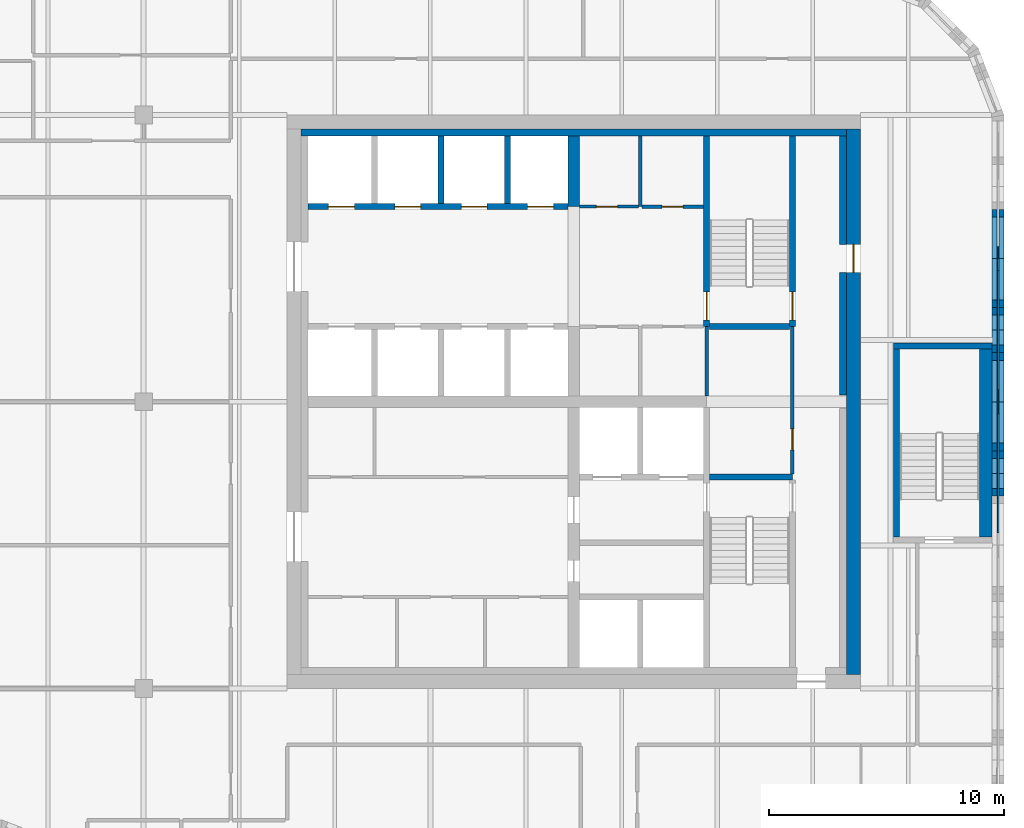
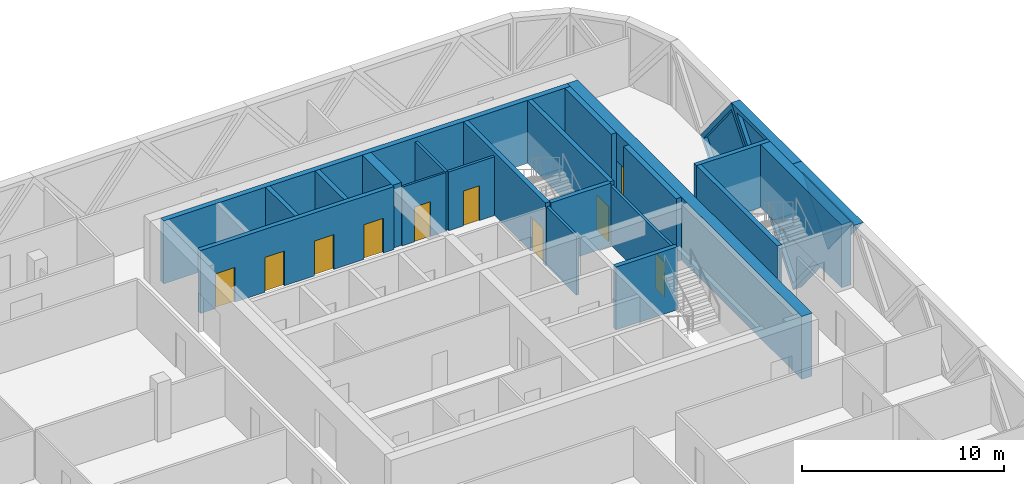
# One storey, part 12 of 15: 24 walls, 10 doors, 4 plates, 14 openings.
"""IFC4 building model written with IfcOpenShell, lengths in metres."""

from ifc_helpers import new_model, si_unit, direction, frame, frame_2d, origin, place, context, subcontext, project, spatial, polyline, rectangle, outline, extrude, faceted_brep, source, transform, mapped, material, layer, layer_set, type_object, element, fill, save


model = new_model("IFC4")

# Units and contexts
model_context = context("Model", 3, precision=1e-05, world=origin(), true_north=direction((0.0, 1.0)))
body_context = subcontext(model_context, "Body", "Model", "MODEL_VIEW")
ifc_project = project(units=[si_unit("LENGTHUNIT", "METRE"), si_unit("AREAUNIT", "SQUARE_METRE"), si_unit("VOLUMEUNIT", "CUBIC_METRE"), si_unit("PLANEANGLEUNIT", "RADIAN"), si_unit("MASSUNIT", "GRAM", prefix="KILO")], contexts=[model_context])

# Site, building, storey
site_placement = place(None, origin())
site = spatial("IfcSite", under=ifc_project, at=site_placement, CompositionType="ELEMENT")
building_placement = place(site_placement, origin())
building = spatial("IfcBuilding", under=site, at=building_placement, Name="Tessera Gate Towers", CompositionType="ELEMENT")
storey_placement = place(building_placement, frame((0.0, 0.0, 189.60009765625)))
storey = spatial("IfcBuildingStorey", under=building, at=storey_placement, Name="L47", CompositionType="ELEMENT", Elevation=189.60009765625)

# Wall, openings, doors
ifc_material_1 = material(Name="Concrete C40/50", Category="concrete")
ifc_layer_1 = layer(ifc_material_1, 0.25)
ifc_layer_set_1 = layer_set([ifc_layer_1], Name="CORE ENCLOSURE WALL 250")
wall_type_1 = type_object("IfcWallType", Name="CORE ENCLOSURE WALL 250", PredefinedType="SOLIDWALL", material=ifc_layer_set_1)
wall_1_placement = place(storey_placement, frame((42.449951171875, 44.89990234375, 0.0), z_axis=(0.0, 0.0, 1.0), x_axis=(-1.0, 0.0, 0.0)))
wall_1 = element("IfcWall", 1, at=wall_1_placement, inside=storey, type_object=wall_type_1, Name="L47 shaft and stair enclosure wall", PredefinedType="SOLIDWALL", context=body_context, shape_type="SweptSolid", body=[
    extrude(rectangle(XDim=11.050048828125, YDim=0.25, at=frame_2d((5.52490234375, 0.0))), origin(), (0.0, 0.0, 1.0), 3.7998046875),
])
shared_shape_1 = source(origin(), body_context, "Body", "SweptSolid", [
    extrude(rectangle(XDim=1.10009765625, YDim=2.10009765625, at=frame_2d((0.550048828125, 1.050048828125))), frame((0.0, 0.135009765625, 0.0), z_axis=(0.0, -1.0, 0.0), x_axis=(1.0, 0.0, 0.0)), (0.0, 0.0, 1.0), 0.27001953125),
])
opening_1_placement = place(wall_1_placement, frame((9.08740234375, 0.0, 0.0)))
opening_1 = element("IfcOpeningElement", 2, at=opening_1_placement, cuts=wall_1, Name="Opening LD-HR5", PredefinedType="OPENING", context=body_context, shape_type="MappedRepresentation", body=[
    mapped(shared_shape_1, transform((0.0, 0.0, 0.0), scale=1.0)),
])
opening_2_placement = place(wall_1_placement, frame((6.262451171875, 0.0, 0.0)))
opening_2 = element("IfcOpeningElement", 3, at=opening_2_placement, cuts=wall_1, Name="Opening LD-HR6", PredefinedType="OPENING", context=body_context, shape_type="MappedRepresentation", body=[
    mapped(shared_shape_1, transform((0.0, 0.0, 0.0), scale=1.0)),
])
opening_3_placement = place(wall_1_placement, frame((3.4375, 0.0, 0.0)))
opening_3 = element("IfcOpeningElement", 4, at=opening_3_placement, cuts=wall_1, Name="Opening LD-HR7", PredefinedType="OPENING", context=body_context, shape_type="MappedRepresentation", body=[
    mapped(shared_shape_1, transform((0.0, 0.0, 0.0), scale=1.0)),
])
opening_4_placement = place(wall_1_placement, frame((0.612548828125, 0.0, 0.0)))
opening_4 = element("IfcOpeningElement", 5, at=opening_4_placement, cuts=wall_1, Name="Opening LD-HR8", PredefinedType="OPENING", context=body_context, shape_type="MappedRepresentation", body=[
    mapped(shared_shape_1, transform((0.0, 0.0, 0.0), scale=1.0)),
])
ifc_material_2 = material(Name="Stainless steel", Category="steel")
door_type_1 = type_object("IfcDoorType", Name="CORE DOOR LD 1100x2100", OperationType="DOUBLE_DOOR_SLIDING", PredefinedType="DOOR", material=ifc_material_2)
shared_shape_2 = source(origin(), body_context, "Body", "SweptSolid", [
    extrude(rectangle(XDim=1.10009765625, YDim=2.10009765625, at=frame_2d((0.550048828125, 1.050048828125))), frame((0.0, 0.02490234375, 0.0), z_axis=(0.0, -1.0, 0.0), x_axis=(1.0, 0.0, 0.0)), (0.0, 0.0, 1.0), 0.050048828125),
])
door_1_placement = place(opening_1_placement, origin())
door_1 = element("IfcDoor", 6, at=door_1_placement, inside=storey, type_object=door_type_1, Name="Landing door HR5 L47", OperationType="DOUBLE_DOOR_SLIDING", OverallHeight=2.10009765625, OverallWidth=1.10009765625, PredefinedType="DOOR", context=body_context, shape_type="MappedRepresentation", body=[
    mapped(shared_shape_2, transform((0.0, 0.0, 0.0), scale=1.0)),
])
fill(opening_1, door_1)
door_2_placement = place(opening_2_placement, origin())
door_2 = element("IfcDoor", 7, at=door_2_placement, inside=storey, type_object=door_type_1, Name="Landing door HR6 L47", OperationType="DOUBLE_DOOR_SLIDING", OverallHeight=2.10009765625, OverallWidth=1.10009765625, PredefinedType="DOOR", context=body_context, shape_type="MappedRepresentation", body=[
    mapped(shared_shape_2, transform((0.0, 0.0, 0.0), scale=1.0)),
])
fill(opening_2, door_2)
door_3_placement = place(opening_3_placement, origin())
door_3 = element("IfcDoor", 8, at=door_3_placement, inside=storey, type_object=door_type_1, Name="Landing door HR7 L47", OperationType="DOUBLE_DOOR_SLIDING", OverallHeight=2.10009765625, OverallWidth=1.10009765625, PredefinedType="DOOR", context=body_context, shape_type="MappedRepresentation", body=[
    mapped(shared_shape_2, transform((0.0, 0.0, 0.0), scale=1.0)),
])
fill(opening_3, door_3)
door_4_placement = place(opening_4_placement, origin())
door_4 = element("IfcDoor", 9, at=door_4_placement, inside=storey, type_object=door_type_1, Name="Landing door HR8 L47", OperationType="DOUBLE_DOOR_SLIDING", OverallHeight=2.10009765625, OverallWidth=1.10009765625, PredefinedType="DOOR", context=body_context, shape_type="MappedRepresentation", body=[
    mapped(shared_shape_2, transform((0.0, 0.0, 0.0), scale=1.0)),
])
fill(opening_4, door_4)

# Wall
wall_2_placement = place(storey_placement, frame((48.47509765625, 33.39990234375, 0.0), z_axis=(0.0, 0.0, 1.0), x_axis=(1.0, 0.0, 0.0)))
element("IfcWall", 10, at=wall_2_placement, inside=storey, type_object=wall_type_1, Name="L47 shaft and stair enclosure wall", PredefinedType="SOLIDWALL", context=body_context, shape_type="SweptSolid", body=[
    extrude(rectangle(XDim=3.52490234375, YDim=0.25, at=frame_2d((1.762451171875, 0.0))), origin(), (0.0, 0.0, 1.0), 3.7998046875),
])

# Wall, opening, door
wall_3_placement = place(storey_placement, frame((48.35009765625, 47.89990234375, 0.0), z_axis=(0.0, 0.0, 1.0), x_axis=(0.0, -1.0, 0.0)))
wall_3 = element("IfcWall", 11, at=wall_3_placement, inside=storey, type_object=wall_type_1, Name="L47 shaft and stair enclosure wall", PredefinedType="SOLIDWALL", context=body_context, shape_type="SweptSolid", body=[
    extrude(rectangle(XDim=8.099853515625, YDim=0.25, at=frame_2d((4.0498046875, 0.0))), origin(), (0.0, 0.0, 1.0), 3.7998046875),
])
shared_shape_3 = source(origin(), body_context, "Body", "SweptSolid", [
    extrude(rectangle(XDim=1.199951171875, YDim=2.10009765625, at=frame_2d((0.60009765625, 1.050048828125))), frame((0.0, 0.135009765625, 0.0), z_axis=(0.0, -1.0, 0.0), x_axis=(1.0, 0.0, 0.0)), (0.0, 0.0, 1.0), 0.27001953125),
])
opening_5_placement = place(wall_3_placement, frame((6.625, 0.0, 0.0)))
opening_5 = element("IfcOpeningElement", 12, at=opening_5_placement, cuts=wall_3, Name="Opening SD-ST2-1", PredefinedType="OPENING", context=body_context, shape_type="MappedRepresentation", body=[
    mapped(shared_shape_3, transform((0.0, 0.0, 0.0), scale=1.0)),
])
ifc_material_3 = material(Name="Hollow steel fire door", Category="steel")
door_type_2 = type_object("IfcDoorType", Name="CORE DOOR SD 1200x2100", OperationType="NOTDEFINED", PredefinedType="DOOR", material=ifc_material_3)
shared_shape_4 = source(origin(), body_context, "Body", "SweptSolid", [
    extrude(rectangle(XDim=1.199951171875, YDim=2.10009765625, at=frame_2d((0.60009765625, 1.050048828125))), frame((0.0, 0.02490234375, 0.0), z_axis=(0.0, -1.0, 0.0), x_axis=(1.0, 0.0, 0.0)), (0.0, 0.0, 1.0), 0.050048828125),
])
door_5_placement = place(opening_5_placement, origin())
door_5 = element("IfcDoor", 13, at=door_5_placement, inside=storey, type_object=door_type_2, Name="Stair door", OperationType="SINGLE_SWING_RIGHT", OverallHeight=2.10009765625, OverallWidth=1.199951171875, PredefinedType="DOOR", context=body_context, shape_type="MappedRepresentation", body=[
    mapped(shared_shape_4, transform((0.0, 0.0, 0.0), scale=1.0)),
])
fill(opening_5, door_5)

wall_4_placement = place(storey_placement, frame((52.0, 39.800048828125, 0.0), z_axis=(0.0, 0.0, 1.0), x_axis=(0.0, 1.0, 0.0)))
wall_4 = element("IfcWall", 14, at=wall_4_placement, inside=storey, type_object=wall_type_1, Name="L47 shaft and stair enclosure wall", PredefinedType="SOLIDWALL", context=body_context, shape_type="SweptSolid", body=[
    extrude(rectangle(XDim=8.099853515625, YDim=0.25, at=frame_2d((4.0498046875, 0.0))), origin(), (0.0, 0.0, 1.0), 3.7998046875),
])
opening_6_placement = place(wall_4_placement, frame((0.27490234375, 0.0, 0.0)))
opening_6 = element("IfcOpeningElement", 15, at=opening_6_placement, cuts=wall_4, Name="Opening SD-ST2-2", PredefinedType="OPENING", context=body_context, shape_type="MappedRepresentation", body=[
    mapped(shared_shape_3, transform((0.0, 0.0, 0.0), scale=1.0)),
])
door_6_placement = place(opening_6_placement, origin())
door_6 = element("IfcDoor", 16, at=door_6_placement, inside=storey, type_object=door_type_2, Name="Stair door", OperationType="SINGLE_SWING_LEFT", OverallHeight=2.10009765625, OverallWidth=1.199951171875, PredefinedType="DOOR", context=body_context, shape_type="MappedRepresentation", body=[
    mapped(shared_shape_4, transform((0.0, 0.0, 0.0), scale=1.0)),
])
fill(opening_6, door_6)

# Walls
wall_5_placement = place(storey_placement, frame((48.47509765625, 39.800048828125, 0.0), z_axis=(0.0, 0.0, 1.0), x_axis=(1.0, 0.0, 0.0)))
element("IfcWall", 17, at=wall_5_placement, inside=storey, type_object=wall_type_1, Name="L47 shaft and stair enclosure wall", PredefinedType="SOLIDWALL", context=body_context, shape_type="SweptSolid", body=[
    extrude(rectangle(XDim=3.39990234375, YDim=0.25, at=frame_2d((1.699951171875, 0.0))), origin(), (0.0, 0.0, 1.0), 3.7998046875),
])
for number, where, z_axis, x_axis, name in (
    (18, (37.050048828125, 45.02490234375, 0.0), (0.0, 0.0, 1.0), (0.0, 1.0, 0.0), "L47 shaft and stair enclosure wall"),
    (19, (39.875, 45.02490234375, 0.0), (0.0, 0.0, 1.0), (0.0, 1.0, 0.0), "L47 shaft and stair enclosure wall"),
):
    element("IfcWall", number, at=place(storey_placement, frame(where, z_axis=z_axis, x_axis=x_axis)), inside=storey, type_object=wall_type_1, Name=name, PredefinedType="SOLIDWALL", context=body_context, shape_type="SweptSolid", body=[
        extrude(rectangle(XDim=2.875, YDim=0.25, at=frame_2d((1.4375, 0.0))), origin(), (0.0, 0.0, 1.0), 3.7998046875),
    ])
wall_6_placement = place(storey_placement, frame((56.425048828125, 30.85009765625, 0.0), z_axis=(0.0, 0.0, 1.0), x_axis=(0.0, 1.0, 0.0)))
element("IfcWall", 20, at=wall_6_placement, inside=storey, type_object=wall_type_1, Name="L47 ST5 enclosure wall", PredefinedType="SOLIDWALL", context=body_context, shape_type="SweptSolid", body=[
    extrude(rectangle(XDim=8.0, YDim=0.25, at=frame_2d((4.0, 0.0))), origin(), (0.0, 0.0, 1.0), 3.7998046875),
])
wall_7_placement = place(storey_placement, frame((56.300048828125, 38.97509765625, 0.0), z_axis=(0.0, 0.0, 1.0), x_axis=(1.0, 0.0, 0.0)))
element("IfcWall", 21, at=wall_7_placement, inside=storey, type_object=wall_type_1, Name="L47 ST5 enclosure wall", PredefinedType="SOLIDWALL", context=body_context, shape_type="SweptSolid", body=[
    extrude(rectangle(XDim=4.199951171875, YDim=0.25, at=frame_2d((2.10009765625, 0.0))), origin(), (0.0, 0.0, 1.0), 3.7998046875),
])
ifc_material_4 = material(Name="Concrete C40/50", Category="concrete")
ifc_layer_2 = layer(ifc_material_4, 0.550048828125)
ifc_layer_set_2 = layer_set([ifc_layer_2], Name="CORE ENCLOSURE WALL 550")
wall_type_2 = type_object("IfcWallType", Name="CORE ENCLOSURE WALL 550", PredefinedType="SOLIDWALL", material=ifc_layer_set_2)
wall_8_placement = place(storey_placement, frame((60.22509765625, 38.85009765625, 0.0), z_axis=(0.0, 0.0, 1.0), x_axis=(0.0, -1.0, 0.0)))
element("IfcWall", 22, at=wall_8_placement, inside=storey, type_object=wall_type_2, Name="L47 ST5 enclosure wall", PredefinedType="SOLIDWALL", context=body_context, shape_type="SweptSolid", body=[
    extrude(rectangle(XDim=8.0, YDim=0.550048828125, at=frame_2d((4.0, 0.0))), origin(), (0.0, 0.0, 1.0), 3.7998046875),
])

# Wall, opening, door
ifc_material_5 = material(Name="Gypsum board on steel studs", Category="steel")
ifc_layer_3 = layer(ifc_material_5, 0.1201171875)
ifc_layer_set_3 = layer_set([ifc_layer_3], Name="CORE PARTITION 120")
wall_type_3 = type_object("IfcWallType", Name="CORE PARTITION 120", PredefinedType="PARTITIONING", material=ifc_layer_set_3)
wall_9_placement = place(storey_placement, frame((42.949951171875, 44.89990234375, 0.0), z_axis=(0.0, 0.0, 1.0), x_axis=(1.0, 0.0, 0.0)))
wall_9 = element("IfcWall", 23, at=wall_9_placement, inside=storey, type_object=wall_type_3, Name="L47 core partition", PredefinedType="PARTITIONING", context=body_context, shape_type="SweptSolid", body=[
    extrude(rectangle(XDim=2.5, YDim=0.1201171875, at=frame_2d((1.25, 0.0))), origin(), (0.0, 0.0, 1.0), 3.5498046875),
])
shared_shape_5 = source(origin(), body_context, "Body", "SweptSolid", [
    extrude(rectangle(XDim=0.89990234375, YDim=2.10009765625, at=frame_2d((0.449951171875, 1.050048828125))), frame((0.0, 0.070068359375, 0.0), z_axis=(0.0, -1.0, 0.0), x_axis=(1.0, 0.0, 0.0)), (0.0, 0.0, 1.0), 0.14013671875),
])
opening_7_placement = place(wall_9_placement, frame((0.71240234375, 0.0, 0.0)))
opening_7 = element("IfcOpeningElement", 24, at=opening_7_placement, cuts=wall_9, Name="Opening RD-T1-29-15", PredefinedType="OPENING", context=body_context, shape_type="MappedRepresentation", body=[
    mapped(shared_shape_5, transform((0.0, 0.0, 0.0), scale=1.0)),
])
ifc_material_6 = material(Name="Hollow steel fire door", Category="steel")
door_type_3 = type_object("IfcDoorType", Name="CORE DOOR RD 900x2100", OperationType="NOTDEFINED", PredefinedType="DOOR", material=ifc_material_6)
shared_shape_6 = source(origin(), body_context, "Body", "SweptSolid", [
    extrude(rectangle(XDim=0.89990234375, YDim=2.10009765625, at=frame_2d((0.449951171875, 1.050048828125))), frame((0.0, 0.02490234375, 0.0), z_axis=(0.0, -1.0, 0.0), x_axis=(1.0, 0.0, 0.0)), (0.0, 0.0, 1.0), 0.050048828125),
])
door_7_placement = place(opening_7_placement, origin())
door_7 = element("IfcDoor", 25, at=door_7_placement, inside=storey, type_object=door_type_3, Name="Core room door", OperationType="SINGLE_SWING_LEFT", OverallHeight=2.10009765625, OverallWidth=0.89990234375, PredefinedType="DOOR", context=body_context, shape_type="MappedRepresentation", body=[
    mapped(shared_shape_6, transform((0.0, 0.0, 0.0), scale=1.0)),
])
fill(opening_7, door_7)

ifc_material_7 = material(Name="Concrete C50/60", Category="concrete")
ifc_layer_4 = layer(ifc_material_7, 0.60009765625)
ifc_layer_set_4 = layer_set([ifc_layer_4], Name="CORE SHEAR WALL 600 C50/60")
wall_type_4 = type_object("IfcWallType", Name="CORE SHEAR WALL 600 C50/60", PredefinedType="SHEAR", material=ifc_layer_set_4)
wall_10_placement = place(storey_placement, frame((54.60009765625, 48.199951171875, 0.0), z_axis=(0.0, 0.0, 1.0), x_axis=(0.0, -1.0, 0.0)))
wall_10 = element("IfcWall", 26, at=wall_10_placement, inside=storey, type_object=wall_type_4, Name="Core wall E L47", PredefinedType="SHEAR", context=body_context, shape_type="SweptSolid", body=[
    extrude(rectangle(XDim=23.199951171875, YDim=0.60009765625, at=frame_2d((11.60009765625, 0.0))), origin(), (0.0, 0.0, 1.0), 3.7998046875),
])
shared_shape_7 = source(origin(), body_context, "Body", "SweptSolid", [
    extrude(rectangle(XDim=1.199951171875, YDim=2.10009765625, at=frame_2d((0.60009765625, 1.050048828125))), frame((0.0, 0.31005859375, 0.0), z_axis=(0.0, -1.0, 0.0), x_axis=(1.0, 0.0, 0.0)), (0.0, 0.0, 1.0), 0.6201171875),
])
opening_8_placement = place(wall_10_placement, frame((4.89990234375, 0.0, 0.0)))
opening_8 = element("IfcOpeningElement", 27, at=opening_8_placement, cuts=wall_10, Name="Opening ED-T1-29-04", PredefinedType="OPENING", context=body_context, shape_type="MappedRepresentation", body=[
    mapped(shared_shape_7, transform((0.0, 0.0, 0.0), scale=1.0)),
])
ifc_material_8 = material(Name="Hollow steel fire door", Category="steel")
door_type_4 = type_object("IfcDoorType", Name="CORE DOOR ED 1200x2100", OperationType="NOTDEFINED", PredefinedType="DOOR", material=ifc_material_8)
door_8_placement = place(opening_8_placement, origin())
door_8 = element("IfcDoor", 28, at=door_8_placement, inside=storey, type_object=door_type_4, Name="Core exit door", OperationType="SINGLE_SWING_LEFT", OverallHeight=2.10009765625, OverallWidth=1.199951171875, PredefinedType="DOOR", context=body_context, shape_type="MappedRepresentation", body=[
    mapped(shared_shape_4, transform((0.0, 0.0, 0.0), scale=1.0)),
])
fill(opening_8, door_8)

# Walls
ifc_material_9 = material(Name="Concrete C50/60", Category="concrete")
ifc_layer_5 = layer(ifc_material_9, 0.5)
ifc_layer_set_5 = layer_set([ifc_layer_5], Name="CORE SPINE WALL 500 C50/60")
wall_type_5 = type_object("IfcWallType", Name="CORE SPINE WALL 500 C50/60", PredefinedType="SHEAR", material=ifc_layer_set_5)
wall_11_placement = place(storey_placement, frame((42.699951171875, 44.89990234375, 0.0), z_axis=(0.0, 0.0, 1.0), x_axis=(0.0, 1.0, 0.0)))
element("IfcWall", 29, at=wall_11_placement, inside=storey, type_object=wall_type_5, Name="Core wall spine L47", PredefinedType="SHEAR", context=body_context, shape_type="SweptSolid", body=[
    extrude(rectangle(XDim=3.0, YDim=0.5, at=frame_2d((1.5, 0.0))), origin(), (0.0, 0.0, 1.0), 3.7998046875),
])
ifc_material_10 = material(Name="Concrete C50/60", Category="concrete")
ifc_layer_6 = layer(ifc_material_10, 0.300048828125)
ifc_layer_set_6 = layer_set([ifc_layer_6], Name="CORE WALL THICKENING 300")
wall_type_6 = type_object("IfcWallType", Name="CORE WALL THICKENING 300", PredefinedType="SOLIDWALL", material=ifc_layer_set_6)
wall_12_placement = place(storey_placement, frame((31.10009765625, 48.050048828125, 0.0), z_axis=(0.0, 0.0, 1.0), x_axis=(1.0, 0.0, 0.0)))
element("IfcWall", 30, at=wall_12_placement, inside=storey, type_object=wall_type_6, Name="Core wall thickening N L47", PredefinedType="SOLIDWALL", context=body_context, shape_type="SweptSolid", body=[
    extrude(rectangle(XDim=23.199951171875, YDim=0.300048828125, at=frame_2d((11.60009765625, 0.0))), origin(), (0.0, 0.0, 1.0), 3.7998046875),
])
wall_13_placement = place(storey_placement, frame((54.14990234375, 36.8798828125, 0.0), z_axis=(0.0, 0.0, 1.0), x_axis=(0.0, 1.0, 0.0)))
element("IfcWall", 31, at=wall_13_placement, inside=storey, type_object=wall_type_6, Name="Core wall thickening E L47", PredefinedType="SOLIDWALL", context=body_context, shape_type="SweptSolid", body=[
    extrude(rectangle(XDim=5.22021484375, YDim=0.300048828125, at=frame_2d((2.610107421875, 0.0))), origin(), (0.0, 0.0, 1.0), 3.7998046875),
])
wall_14_placement = place(storey_placement, frame((54.14990234375, 43.300048828125, 0.0), z_axis=(0.0, 0.0, 1.0), x_axis=(0.0, 1.0, 0.0)))
element("IfcWall", 32, at=wall_14_placement, inside=storey, type_object=wall_type_6, Name="Core wall thickening E L47", PredefinedType="SOLIDWALL", context=body_context, shape_type="SweptSolid", body=[
    extrude(rectangle(XDim=4.599853515625, YDim=0.300048828125, at=frame_2d((2.2998046875, 0.0))), origin(), (0.0, 0.0, 1.0), 3.7998046875),
])

# Wall, opening, door
ifc_material_11 = material(Name="Gypsum board on steel studs", Category="steel")
ifc_layer_7 = layer(ifc_material_11, 0.14990234375)
ifc_layer_set_7 = layer_set([ifc_layer_7], Name="SERVICE ROOM WALL 150")
wall_type_7 = type_object("IfcWallType", Name="SERVICE ROOM WALL 150", PredefinedType="PARTITIONING", material=ifc_layer_set_7)
wall_15_placement = place(storey_placement, frame((52.0, 33.52490234375, 0.0), z_axis=(0.0, 0.0, 1.0), x_axis=(0.0, 1.0, 0.0)))
wall_15 = element("IfcWall", 33, at=wall_15_placement, inside=storey, type_object=wall_type_7, Name="L47 service room wall", PredefinedType="PARTITIONING", context=body_context, shape_type="SweptSolid", body=[
    extrude(rectangle(XDim=6.275146484375, YDim=0.14990234375, at=frame_2d((3.1376953125, 0.0))), origin(), (0.0, 0.0, 1.0), 3.5498046875),
])
shared_shape_8 = source(origin(), body_context, "Body", "SweptSolid", [
    extrude(rectangle(XDim=0.89990234375, YDim=2.10009765625, at=frame_2d((0.449951171875, 1.050048828125))), frame((0.0, 0.0849609375, 0.0), z_axis=(0.0, -1.0, 0.0), x_axis=(1.0, 0.0, 0.0)), (0.0, 0.0, 1.0), 0.169921875),
])
opening_9_placement = place(wall_15_placement, frame((1.02490234375, 0.0, 0.0)))
opening_9 = element("IfcOpeningElement", 34, at=opening_9_placement, cuts=wall_15, Name="Opening RD-T1-29-12", PredefinedType="OPENING", context=body_context, shape_type="MappedRepresentation", body=[
    mapped(shared_shape_8, transform((0.0, 0.0, 0.0), scale=1.0)),
])
door_9_placement = place(opening_9_placement, origin())
door_9 = element("IfcDoor", 35, at=door_9_placement, inside=storey, type_object=door_type_3, Name="Core room door", OperationType="SINGLE_SWING_LEFT", OverallHeight=2.10009765625, OverallWidth=0.89990234375, PredefinedType="DOOR", context=body_context, shape_type="MappedRepresentation", body=[
    mapped(shared_shape_6, transform((0.0, 0.0, 0.0), scale=1.0)),
])
fill(opening_9, door_9)

# Walls
wall_16_placement = place(storey_placement, frame((48.35009765625, 36.85009765625, 0.0), z_axis=(0.0, 0.0, 1.0), x_axis=(0.0, 1.0, 0.0)))
element("IfcWall", 36, at=wall_16_placement, inside=storey, type_object=wall_type_7, Name="L47 service room wall", PredefinedType="PARTITIONING", context=body_context, shape_type="SweptSolid", body=[
    extrude(rectangle(XDim=2.949951171875, YDim=0.14990234375, at=frame_2d((1.47509765625, 0.0))), origin(), (0.0, 0.0, 1.0), 3.5498046875),
])
wall_17_placement = place(storey_placement, frame((45.52490234375, 44.89990234375, 0.0), z_axis=(0.0, 0.0, 1.0), x_axis=(0.0, 1.0, 0.0)))
element("IfcWall", 37, at=wall_17_placement, inside=storey, type_object=wall_type_7, Name="L47 service room wall", PredefinedType="PARTITIONING", context=body_context, shape_type="SweptSolid", body=[
    extrude(rectangle(XDim=3.0, YDim=0.14990234375, at=frame_2d((1.5, 0.0))), origin(), (0.0, 0.0, 1.0), 3.5498046875),
])

# Wall, opening, door
wall_18_placement = place(storey_placement, frame((45.60009765625, 44.89990234375, 0.0), z_axis=(0.0, 0.0, 1.0), x_axis=(1.0, 0.0, 0.0)))
wall_18 = element("IfcWall", 38, at=wall_18_placement, inside=storey, type_object=wall_type_7, Name="L47 service room wall", PredefinedType="PARTITIONING", context=body_context, shape_type="SweptSolid", body=[
    extrude(rectangle(XDim=2.625, YDim=0.14990234375, at=frame_2d((1.3125, 0.0))), origin(), (0.0, 0.0, 1.0), 3.5498046875),
])
opening_10_placement = place(wall_18_placement, frame((0.85009765625, 0.0, 0.0)))
opening_10 = element("IfcOpeningElement", 39, at=opening_10_placement, cuts=wall_18, Name="Opening RD-T1-29-16", PredefinedType="OPENING", context=body_context, shape_type="MappedRepresentation", body=[
    mapped(shared_shape_8, transform((0.0, 0.0, 0.0), scale=1.0)),
])
door_10_placement = place(opening_10_placement, origin())
door_10 = element("IfcDoor", 40, at=door_10_placement, inside=storey, type_object=door_type_3, Name="Core room door", OperationType="SINGLE_SWING_LEFT", OverallHeight=2.10009765625, OverallWidth=0.89990234375, PredefinedType="DOOR", context=body_context, shape_type="MappedRepresentation", body=[
    mapped(shared_shape_6, transform((0.0, 0.0, 0.0), scale=1.0)),
])
fill(opening_10, door_10)

# Wall, opening, plate
ifc_material_12 = material(Name="Precast concrete C60/75 white", Category="concrete")
ifc_layer_8 = layer(ifc_material_12, 0.5)
ifc_layer_set_8 = layer_set([ifc_layer_8], Name="TS1 tessera")
wall_type_8 = type_object("IfcWallType", Name="TS1 tessera", PredefinedType="SOLIDWALL", material=ifc_layer_set_8)
shared_shape_9 = source(origin(), body_context, "Body", "Brep", [
    faceted_brep([(3.050048828125, -0.25, 0.0), (6.099853515625, -0.25, 3.7998046875), (6.099853515625, -0.25, 3.80029296875), (3.050048828125, -0.25, 7.599853515625), (0.0, -0.25, 3.800048828125), (0.0, 0.25, 3.800048828125), (3.050048828125, 0.25, 7.599853515625), (6.099853515625, 0.25, 3.80029296875), (6.099853515625, 0.25, 3.7998046875), (3.050048828125, 0.25, 0.0)], [[[0, 1, 2, 3, 4]], [[5, 6, 7, 8, 9]], [[9, 8, 1, 0]], [[7, 6, 3, 2]], [[6, 5, 4, 3]], [[5, 9, 0, 4]], [[1, 8, 7, 2]]]),
])
wall_19_placement = place(storey_placement, frame((60.75, 33.550048828125, -3.800048828125), z_axis=(0.0, 0.0, 1.0), x_axis=(0.0, 1.0, 0.0)))
wall_19 = element("IfcWall", 41, at=wall_19_placement, inside=storey, type_object=wall_type_8, Name="Precast tessera T1 TS1-0836", PredefinedType="SOLIDWALL", context=body_context, shape_type="MappedRepresentation", body=[
    mapped(shared_shape_9, transform((0.0, 0.0, 0.0), scale=1.0)),
])
shared_shape_10 = source(origin(), body_context, "Body", "SweptSolid", [
    extrude(outline(polyline([(3.050048828125, 0.3994140625), (5.779541015625, 3.800048828125), (3.050048828125, 7.200439453125), (0.320556640625, 3.800048828125), (3.050048828125, 0.3994140625)])), frame((0.0, 0.260009765625, 0.0), z_axis=(0.0, -1.0, 0.0), x_axis=(1.0, 0.0, 0.0)), (0.0, 0.0, 1.0), 0.52001953125),
])
opening_11_placement = place(wall_19_placement, origin())
opening_11 = element("IfcOpeningElement", 42, at=opening_11_placement, cuts=wall_19, Name="Opening T1-PL2-1704", PredefinedType="OPENING", context=body_context, shape_type="MappedRepresentation", body=[
    mapped(shared_shape_10, transform((0.0, 0.0, 0.0), scale=1.0)),
])
ifc_material_13 = material(Name="Low-e laminated glass", Category="glass")
ifc_layer_9 = layer(ifc_material_13, 0.06005859375)
ifc_layer_set_9 = layer_set([ifc_layer_9], Name="PL2 rhombic pane")
plate_type_1 = type_object("IfcPlateType", Name="PL2 rhombic pane", PredefinedType="SHEET", material=ifc_layer_set_9)
shared_shape_11 = source(origin(), body_context, "Body", "SweptSolid", [
    extrude(outline(polyline([(3.050048828125, 0.3994140625), (5.779541015625, 3.800048828125), (3.050048828125, 7.200439453125), (0.320556640625, 3.800048828125), (3.050048828125, 0.3994140625)])), frame((0.0, 0.030029296875, 0.0), z_axis=(0.0, -1.0, 0.0), x_axis=(1.0, 0.0, 0.0)), (0.0, 0.0, 1.0), 0.06005859375),
])
plate_1_placement = place(opening_11_placement, origin())
plate_1 = element("IfcPlate", 43, at=plate_1_placement, inside=storey, type_object=plate_type_1, Name="Glass pane T1 PL2-1704", PredefinedType="SHEET", context=body_context, shape_type="MappedRepresentation", body=[
    mapped(shared_shape_11, transform((0.0, 0.0, 0.0), scale=1.0)),
])
fill(opening_11, plate_1)

shared_shape_12 = source(origin(), body_context, "Body", "SweptSolid", [
    extrude(outline(polyline([(3.050048828125, 0.0), (6.10009765625, 3.800048828125), (3.050048828125, 7.599853515625), (0.0, 3.800048828125), (3.050048828125, 0.0)])), frame((0.0, 0.25, 0.0), z_axis=(0.0, -1.0, 0.0), x_axis=(1.0, 0.0, 0.0)), (0.0, 0.0, 1.0), 0.5),
])
wall_20_placement = place(storey_placement, frame((60.75, 39.64990234375, -3.800048828125), z_axis=(0.0, 0.0, 1.0), x_axis=(0.0, 1.0, 0.0)))
wall_20 = element("IfcWall", 44, at=wall_20_placement, inside=storey, type_object=wall_type_8, Name="Precast tessera T1 TS1-0837", PredefinedType="SOLIDWALL", context=body_context, shape_type="MappedRepresentation", body=[
    mapped(shared_shape_12, transform((0.0, 0.0, 0.0), scale=1.0)),
])
opening_12_placement = place(wall_20_placement, origin())
opening_12 = element("IfcOpeningElement", 45, at=opening_12_placement, cuts=wall_20, Name="Opening T1-PL2-1705", PredefinedType="OPENING", context=body_context, shape_type="MappedRepresentation", body=[
    mapped(shared_shape_10, transform((0.0, 0.0, 0.0), scale=1.0)),
])
plate_2_placement = place(opening_12_placement, origin())
plate_2 = element("IfcPlate", 46, at=plate_2_placement, inside=storey, type_object=plate_type_1, Name="Glass pane T1 PL2-1705", PredefinedType="SHEET", context=body_context, shape_type="MappedRepresentation", body=[
    mapped(shared_shape_11, transform((0.0, 0.0, 0.0), scale=1.0)),
])
fill(opening_12, plate_2)

ifc_material_14 = material(Name="Precast concrete C60/75 white", Category="concrete")
ifc_layer_10 = layer(ifc_material_14, 0.5)
ifc_layer_set_10 = layer_set([ifc_layer_10], Name="TS2 half tessera")
wall_type_9 = type_object("IfcWallType", Name="TS2 half tessera", PredefinedType="SOLIDWALL", material=ifc_layer_set_10)
shared_shape_13 = source(origin(), body_context, "Body", "Brep", [
    faceted_brep([(3.050048828125, -0.25, 0.0), (6.099853515625, -0.25, 3.799560546875), (6.099853515625, -0.25, 3.7998046875), (0.0, -0.25, 3.7998046875), (0.0, 0.25, 3.7998046875), (6.099853515625, 0.25, 3.7998046875), (6.099853515625, 0.25, 3.799560546875), (3.050048828125, 0.25, 0.0)], [[[0, 1, 2, 3]], [[4, 5, 6, 7]], [[7, 6, 1, 0]], [[5, 4, 3, 2]], [[4, 7, 0, 3]], [[1, 6, 5, 2]]]),
])
wall_21_placement = place(storey_placement, frame((60.75, 36.60009765625, 0.0), z_axis=(0.0, 0.0, 1.0), x_axis=(0.0, 1.0, 0.0)))
wall_21 = element("IfcWall", 47, at=wall_21_placement, inside=storey, type_object=wall_type_9, Name="Precast half tessera T1 TS2-0215", PredefinedType="SOLIDWALL", context=body_context, shape_type="MappedRepresentation", body=[
    mapped(shared_shape_13, transform((0.0, 0.0, 0.0), scale=1.0)),
])
shared_shape_14 = source(origin(), body_context, "Body", "SweptSolid", [
    extrude(outline(polyline([(3.050048828125, 0.3994140625), (5.578857421875, 3.5498046875), (0.521240234375, 3.5498046875), (3.050048828125, 0.3994140625)])), frame((0.0, 0.260009765625, 0.0), z_axis=(0.0, -1.0, 0.0), x_axis=(1.0, 0.0, 0.0)), (0.0, 0.0, 1.0), 0.52001953125),
])
opening_13_placement = place(wall_21_placement, origin())
opening_13 = element("IfcOpeningElement", 48, at=opening_13_placement, cuts=wall_21, Name="Opening T1-PL1-0437", PredefinedType="OPENING", context=body_context, shape_type="MappedRepresentation", body=[
    mapped(shared_shape_14, transform((0.0, 0.0, 0.0), scale=1.0)),
])
ifc_material_15 = material(Name="Low-e laminated glass", Category="glass")
ifc_layer_11 = layer(ifc_material_15, 0.06005859375)
ifc_layer_set_11 = layer_set([ifc_layer_11], Name="PL1 triangular pane")
plate_type_2 = type_object("IfcPlateType", Name="PL1 triangular pane", PredefinedType="SHEET", material=ifc_layer_set_11)
shared_shape_15 = source(origin(), body_context, "Body", "SweptSolid", [
    extrude(outline(polyline([(3.050048828125, 0.3994140625), (5.578857421875, 3.5498046875), (0.521240234375, 3.5498046875), (3.050048828125, 0.3994140625)])), frame((0.0, 0.030029296875, 0.0), z_axis=(0.0, -1.0, 0.0), x_axis=(1.0, 0.0, 0.0)), (0.0, 0.0, 1.0), 0.06005859375),
])
plate_3_placement = place(opening_13_placement, origin())
plate_3 = element("IfcPlate", 49, at=plate_3_placement, inside=storey, type_object=plate_type_2, Name="Glass pane T1 PL1-0437", PredefinedType="SHEET", context=body_context, shape_type="MappedRepresentation", body=[
    mapped(shared_shape_15, transform((0.0, 0.0, 0.0), scale=1.0)),
])
fill(opening_13, plate_3)

shared_shape_16 = source(origin(), body_context, "Body", "SweptSolid", [
    extrude(outline(polyline([(3.050048828125, 0.0), (6.10009765625, 3.7998046875), (0.0, 3.7998046875), (3.050048828125, 0.0)])), frame((0.0, 0.25, 0.0), z_axis=(0.0, -1.0, 0.0), x_axis=(1.0, 0.0, 0.0)), (0.0, 0.0, 1.0), 0.5),
])
wall_22_placement = place(storey_placement, frame((60.75, 30.5, 0.0), z_axis=(0.0, 0.0, 1.0), x_axis=(0.0, 1.0, 0.0)))
wall_22 = element("IfcWall", 50, at=wall_22_placement, inside=storey, type_object=wall_type_9, Name="Precast half tessera T1 TS2-0214", PredefinedType="SOLIDWALL", context=body_context, shape_type="MappedRepresentation", body=[
    mapped(shared_shape_16, transform((0.0, 0.0, 0.0), scale=1.0)),
])
opening_14_placement = place(wall_22_placement, origin())
opening_14 = element("IfcOpeningElement", 51, at=opening_14_placement, cuts=wall_22, Name="Opening T1-PL1-0436", PredefinedType="OPENING", context=body_context, shape_type="MappedRepresentation", body=[
    mapped(shared_shape_14, transform((0.0, 0.0, 0.0), scale=1.0)),
])
plate_4_placement = place(opening_14_placement, origin())
plate_4 = element("IfcPlate", 52, at=plate_4_placement, inside=storey, type_object=plate_type_2, Name="Glass pane T1 PL1-0436", PredefinedType="SHEET", context=body_context, shape_type="MappedRepresentation", body=[
    mapped(shared_shape_15, transform((0.0, 0.0, 0.0), scale=1.0)),
])
fill(opening_14, plate_4)

save(model, "model.ifc")
